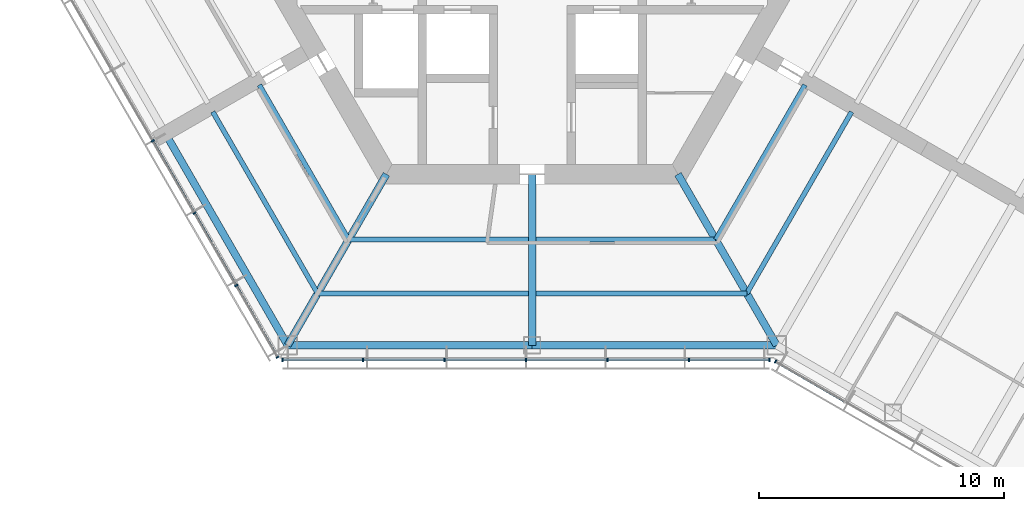
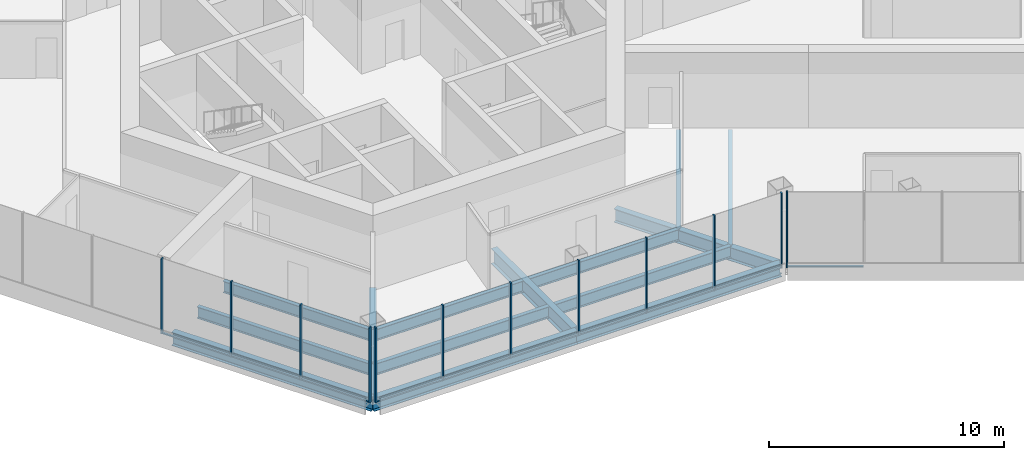
# One storey, part 2 of 14: 22 members, 14 beams, 3 elements without a shape of their own.
"""IFC4 building model written with IfcOpenShell, lengths in metres."""

from ifc_helpers import new_model, si_unit, direction, frame, origin, origin_2d, place, context, subcontext, project, spatial, rectangle, i_section, extrude, material, material_profile, profile_set, type_object, element, aggregate, save


model = new_model("IFC4")

# Units and contexts
model_context = context("Model", 3, precision=1e-05, world=origin(), true_north=direction((0.0, 1.0)))
body_context = subcontext(model_context, "Body", "Model", "MODEL_VIEW")
ifc_project = project(units=[si_unit("LENGTHUNIT", "METRE"), si_unit("AREAUNIT", "SQUARE_METRE"), si_unit("VOLUMEUNIT", "CUBIC_METRE"), si_unit("PLANEANGLEUNIT", "RADIAN"), si_unit("MASSUNIT", "GRAM", prefix="KILO")], contexts=[model_context])

# Site, building, storey
site_placement = place(None, origin())
site = spatial("IfcSite", under=ifc_project, at=site_placement, CompositionType="ELEMENT")
building_placement = place(site_placement, origin())
building = spatial("IfcBuilding", under=site, at=building_placement, Name="Kasaneha Research Tower", CompositionType="ELEMENT")
storey_placement = place(building_placement, frame((0.0, 0.0, 216.699951171875)))
storey = spatial("IfcBuildingStorey", under=building, at=storey_placement, Name="L54", CompositionType="ELEMENT", Elevation=216.699951171875)

# Beams
ifc_material_1 = material(Name="Steel SN490B", Category="steel")
ifc_material_profile_1 = material_profile(ifc_material_1, i_section(OverallWidth=0.199951171875, OverallDepth=0.60009765625, WebThickness=0.010986328125, FlangeThickness=0.01708984375, FilletRadius=0.012939453125, at=origin_2d()), Name="H-600x200x11x17")
ifc_profile_set_1 = profile_set([ifc_material_profile_1], Name="Steel SN490B")
beam_type_1 = type_object("IfcBeamType", Name="B1-3 secondary beam H-600x200x11x17", PredefinedType="JOIST", material=ifc_profile_set_1)
beam_1_placement = place(storey_placement, frame((-7.505615234375, -13.0, -0.449951171875), z_axis=(-0.499999192304, 0.866025870108, 0.0), x_axis=(-0.866025870108, -0.499999192304, 0.0)))
element("IfcBeam", 1, at=beam_1_placement, inside=storey, type_object=beam_type_1, Name="Secondary beam RS210R1 L54", PredefinedType="JOIST", context=body_context, shape_type="SweptSolid", body=[
    extrude(i_section(OverallWidth=0.199951171875, OverallDepth=0.60009765625, WebThickness=0.010986328125, FlangeThickness=0.01708984375, FilletRadius=0.012939453125, at=origin_2d()), origin(), (0.0, 0.0, 1.0), 7.3056640625),
])
beam_2_placement = place(storey_placement, frame((-8.775634765625, -15.199951171875, -0.449951171875), z_axis=(-0.500000102728, 0.866025344474, 0.0), x_axis=(-0.866025344474, -0.500000102728, 0.0)))
element("IfcBeam", 2, at=beam_2_placement, inside=storey, type_object=beam_type_1, Name="Secondary beam RS210R2 L54", PredefinedType="JOIST", context=body_context, shape_type="SweptSolid", body=[
    extrude(i_section(OverallWidth=0.199951171875, OverallDepth=0.60009765625, WebThickness=0.010986328125, FlangeThickness=0.01708984375, FilletRadius=0.012939453125, at=origin_2d()), origin(), (0.0, 0.0, 1.0), 8.57568359375),
])
beam_3_placement = place(storey_placement, frame((-7.505615234375, -13.0, -0.449951171875), z_axis=(1.0, 0.0, 0.0), x_axis=(0.0, 1.0, 0.0)))
element("IfcBeam", 3, at=beam_3_placement, inside=storey, type_object=beam_type_1, Name="Secondary beam RS270L1 L54", PredefinedType="JOIST", context=body_context, shape_type="SweptSolid", body=[
    extrude(i_section(OverallWidth=0.199951171875, OverallDepth=0.60009765625, WebThickness=0.010986328125, FlangeThickness=0.01708984375, FilletRadius=0.012939453125, at=origin_2d()), origin(), (0.0, 0.0, 1.0), 7.355712890625),
])
beam_4_placement = place(storey_placement, frame((-8.775634765625, -15.199951171875, -0.449951171875), z_axis=(1.0, 0.0, 0.0), x_axis=(0.0, 1.0, 0.0)))
element("IfcBeam", 4, at=beam_4_placement, inside=storey, type_object=beam_type_1, Name="Secondary beam RS270L2 L54", PredefinedType="JOIST", context=body_context, shape_type="SweptSolid", body=[
    extrude(i_section(OverallWidth=0.199951171875, OverallDepth=0.60009765625, WebThickness=0.010986328125, FlangeThickness=0.01708984375, FilletRadius=0.012939453125, at=origin_2d()), origin(), (0.0, 0.0, 1.0), 8.625732421875),
])
beam_5_placement = place(storey_placement, frame((7.505615234375, -13.0, -0.449951171875), z_axis=(-1.0, 0.0, 0.0), x_axis=(0.0, -1.0, 0.0)))
element("IfcBeam", 5, at=beam_5_placement, inside=storey, type_object=beam_type_1, Name="Secondary beam RS270R1 L54", PredefinedType="JOIST", context=body_context, shape_type="SweptSolid", body=[
    extrude(i_section(OverallWidth=0.199951171875, OverallDepth=0.60009765625, WebThickness=0.010986328125, FlangeThickness=0.01708984375, FilletRadius=0.012939453125, at=origin_2d()), origin(), (0.0, 0.0, 1.0), 7.355712890625),
])
beam_6_placement = place(storey_placement, frame((8.775634765625, -15.199951171875, -0.449951171875), z_axis=(-1.0, 0.0, 0.0), x_axis=(0.0, -1.0, 0.0)))
element("IfcBeam", 6, at=beam_6_placement, inside=storey, type_object=beam_type_1, Name="Secondary beam RS270R2 L54", PredefinedType="JOIST", context=body_context, shape_type="SweptSolid", body=[
    extrude(i_section(OverallWidth=0.199951171875, OverallDepth=0.60009765625, WebThickness=0.010986328125, FlangeThickness=0.01708984375, FilletRadius=0.012939453125, at=origin_2d()), origin(), (0.0, 0.0, 1.0), 8.625732421875),
])
beam_7_placement = place(storey_placement, frame((7.505615234375, -13.0, -0.449951171875), z_axis=(0.499999192304, 0.866025870108, 0.0), x_axis=(-0.866025870108, 0.499999192304, 0.0)))
element("IfcBeam", 7, at=beam_7_placement, inside=storey, type_object=beam_type_1, Name="Secondary beam RS330L1 L54", PredefinedType="JOIST", context=body_context, shape_type="SweptSolid", body=[
    extrude(i_section(OverallWidth=0.199951171875, OverallDepth=0.60009765625, WebThickness=0.010986328125, FlangeThickness=0.01708984375, FilletRadius=0.012939453125, at=origin_2d()), origin(), (0.0, 0.0, 1.0), 7.3056640625),
])
beam_8_placement = place(storey_placement, frame((8.775634765625, -15.199951171875, -0.449951171875), z_axis=(0.500000102728, 0.866025344474, 0.0), x_axis=(-0.866025344474, 0.500000102728, 0.0)))
element("IfcBeam", 8, at=beam_8_placement, inside=storey, type_object=beam_type_1, Name="Secondary beam RS330L2 L54", PredefinedType="JOIST", context=body_context, shape_type="SweptSolid", body=[
    extrude(i_section(OverallWidth=0.199951171875, OverallDepth=0.60009765625, WebThickness=0.010986328125, FlangeThickness=0.01708984375, FilletRadius=0.012939453125, at=origin_2d()), origin(), (0.0, 0.0, 1.0), 8.57568359375),
])

# Curtain wall, members
ifc_material_2 = material(Name="Glass and aluminium", Category="aluminium")
curtain_wall_type = type_object("IfcCurtainWallType", Name="High-rise office curtain wall", PredefinedType="USERDEFINED", material=ifc_material_2)
curtain_wall_1_placement = place(storey_placement, origin())
curtain_wall_1 = element("IfcCurtainWall", 9, at=curtain_wall_1_placement, inside=storey, type_object=curtain_wall_type, Name="CW-O3 L54 run 04a", ObjectType="UNITISED CURTAIN WALL", PredefinedType="USERDEFINED")
ifc_material_3 = material(Name="Aluminium 6063-T6", Category="aluminium")
ifc_material_profile_2 = material_profile(ifc_material_3, rectangle(XDim=0.06005859375, YDim=0.139892578125, at=origin_2d()), Name="CW-O3 mullion 60x140")
ifc_profile_set_2 = profile_set([ifc_material_profile_2], Name="Aluminium 6063-T6")
member_type_1 = type_object("IfcMemberType", Name="CW-O3 mullion", PredefinedType="MULLION", material=ifc_profile_set_2)
member_1_placement = place(storey_placement, frame((-15.51953125, -8.960205078125, 0.0), z_axis=(0.0, 0.0, 1.0), x_axis=(0.499999995722, -0.866025406254, 0.0)))
member_1 = element("IfcMember", 10, at=member_1_placement, type_object=member_type_1, Name="CW-O3 mullion 4", PredefinedType="MULLION", context=body_context, shape_type="SweptSolid", body=[
    extrude(rectangle(XDim=0.06005859375, YDim=0.139892578125, at=origin_2d()), origin(), (0.0, 0.0, 1.0), 3.900146484375),
])
member_2_placement = place(storey_placement, frame((-13.811767578125, -11.918212890625, 0.0), z_axis=(0.0, 0.0, 1.0), x_axis=(0.499999995722, -0.866025406254, 0.0)))
member_2 = element("IfcMember", 11, at=member_2_placement, type_object=member_type_1, Name="CW-O3 mullion 5", PredefinedType="MULLION", context=body_context, shape_type="SweptSolid", body=[
    extrude(rectangle(XDim=0.06005859375, YDim=0.139892578125, at=origin_2d()), origin(), (0.0, 0.0, 1.0), 3.900146484375),
])
member_3_placement = place(storey_placement, frame((-12.104248046875, -14.8759765625, 0.0), z_axis=(0.0, 0.0, 1.0), x_axis=(0.499999995722, -0.866025406254, 0.0)))
member_3 = element("IfcMember", 12, at=member_3_placement, type_object=member_type_1, Name="CW-O3 mullion 6", PredefinedType="MULLION", context=body_context, shape_type="SweptSolid", body=[
    extrude(rectangle(XDim=0.06005859375, YDim=0.139892578125, at=origin_2d()), origin(), (0.0, 0.0, 1.0), 3.900146484375),
])
member_4_placement = place(storey_placement, frame((-10.411376953125, -17.807861328125, 0.0), z_axis=(0.0, 0.0, 1.0), x_axis=(0.499999995722, -0.866025406254, 0.0)))
member_4 = element("IfcMember", 13, at=member_4_placement, type_object=member_type_1, Name="CW-O3 mullion 7", PredefinedType="MULLION", context=body_context, shape_type="SweptSolid", body=[
    extrude(rectangle(XDim=0.06005859375, YDim=0.139892578125, at=origin_2d()), origin(), (0.0, 0.0, 1.0), 3.900146484375),
])

curtain_wall_2_placement = place(storey_placement, origin())
curtain_wall_2 = element("IfcCurtainWall", 14, at=curtain_wall_2_placement, inside=storey, type_object=curtain_wall_type, Name="CW-O3 L54 run 05a", ObjectType="UNITISED CURTAIN WALL", PredefinedType="USERDEFINED")
member_5_placement = place(storey_placement, frame((-10.21630859375, -17.92041015625, 0.0), z_axis=(0.0, 0.0, 1.0), x_axis=(1.0, 0.0, 0.0)))
member_5 = element("IfcMember", 15, at=member_5_placement, type_object=member_type_1, Name="CW-O3 mullion 1", PredefinedType="MULLION", context=body_context, shape_type="SweptSolid", body=[
    extrude(rectangle(XDim=0.06005859375, YDim=0.139892578125, at=origin_2d()), origin(), (0.0, 0.0, 1.0), 3.900146484375),
])
member_6_placement = place(storey_placement, frame((-6.91552734375, -17.92041015625, 0.0), z_axis=(0.0, 0.0, 1.0), x_axis=(1.0, 0.0, 0.0)))
member_6 = element("IfcMember", 16, at=member_6_placement, type_object=member_type_1, Name="CW-O3 mullion 2", PredefinedType="MULLION", context=body_context, shape_type="SweptSolid", body=[
    extrude(rectangle(XDim=0.06005859375, YDim=0.139892578125, at=origin_2d()), origin(), (0.0, 0.0, 1.0), 3.900146484375),
])
member_7_placement = place(storey_placement, frame((-3.58447265625, -17.92041015625, 0.0), z_axis=(0.0, 0.0, 1.0), x_axis=(1.0, 0.0, 0.0)))
member_7 = element("IfcMember", 17, at=member_7_placement, type_object=member_type_1, Name="CW-O3 mullion 3", PredefinedType="MULLION", context=body_context, shape_type="SweptSolid", body=[
    extrude(rectangle(XDim=0.06005859375, YDim=0.139892578125, at=origin_2d()), origin(), (0.0, 0.0, 1.0), 3.900146484375),
])
member_8_placement = place(storey_placement, frame((-0.253662109375, -17.92041015625, 0.0), z_axis=(0.0, 0.0, 1.0), x_axis=(1.0, 0.0, 0.0)))
member_8 = element("IfcMember", 18, at=member_8_placement, type_object=member_type_1, Name="CW-O3 mullion 4", PredefinedType="MULLION", context=body_context, shape_type="SweptSolid", body=[
    extrude(rectangle(XDim=0.06005859375, YDim=0.139892578125, at=origin_2d()), origin(), (0.0, 0.0, 1.0), 3.900146484375),
])
member_9_placement = place(storey_placement, frame((3.077392578125, -17.92041015625, 0.0), z_axis=(0.0, 0.0, 1.0), x_axis=(1.0, 0.0, 0.0)))
member_9 = element("IfcMember", 19, at=member_9_placement, type_object=member_type_1, Name="CW-O3 mullion 5", PredefinedType="MULLION", context=body_context, shape_type="SweptSolid", body=[
    extrude(rectangle(XDim=0.06005859375, YDim=0.139892578125, at=origin_2d()), origin(), (0.0, 0.0, 1.0), 3.900146484375),
])
member_10_placement = place(storey_placement, frame((6.408203125, -17.92041015625, 0.0), z_axis=(0.0, 0.0, 1.0), x_axis=(1.0, 0.0, 0.0)))
member_10 = element("IfcMember", 20, at=member_10_placement, type_object=member_type_1, Name="CW-O3 mullion 6", PredefinedType="MULLION", context=body_context, shape_type="SweptSolid", body=[
    extrude(rectangle(XDim=0.06005859375, YDim=0.139892578125, at=origin_2d()), origin(), (0.0, 0.0, 1.0), 3.900146484375),
])
member_11_placement = place(storey_placement, frame((9.709228515625, -17.92041015625, 0.0), z_axis=(0.0, 0.0, 1.0), x_axis=(1.0, 0.0, 0.0)))
member_11 = element("IfcMember", 21, at=member_11_placement, type_object=member_type_1, Name="CW-O3 mullion 7", PredefinedType="MULLION", context=body_context, shape_type="SweptSolid", body=[
    extrude(rectangle(XDim=0.06005859375, YDim=0.139892578125, at=origin_2d()), origin(), (0.0, 0.0, 1.0), 3.900146484375),
])

# Curtain wall, member
curtain_wall_3_placement = place(storey_placement, origin())
curtain_wall_3 = element("IfcCurtainWall", 22, at=curtain_wall_3_placement, inside=storey, type_object=curtain_wall_type, Name="CW-O3 L54 run 06a", ObjectType="UNITISED CURTAIN WALL", PredefinedType="USERDEFINED")
member_12_placement = place(storey_placement, frame((9.951904296875, -17.985595703125, 0.0), z_axis=(0.0, 0.0, 1.0), x_axis=(0.866025411464, -0.499999986699, 0.0)))
member_12 = element("IfcMember", 23, at=member_12_placement, type_object=member_type_1, Name="CW-O3 mullion 1", PredefinedType="MULLION", context=body_context, shape_type="SweptSolid", body=[
    extrude(rectangle(XDim=0.06005859375, YDim=0.139892578125, at=origin_2d()), origin(), (0.0, 0.0, 1.0), 3.900146484375),
])

# Member
ifc_material_4 = material(Name="Aluminium 6063-T6", Category="aluminium")
ifc_material_profile_3 = material_profile(ifc_material_4, rectangle(XDim=0.10009765625, YDim=0.06005859375, at=origin_2d()), Name="CW-O3 transom 100x60")
ifc_profile_set_3 = profile_set([ifc_material_profile_3], Name="Aluminium 6063-T6")
member_type_2 = type_object("IfcMemberType", Name="CW-O3 transom", PredefinedType="USERDEFINED", material=ifc_profile_set_3)
member_13_placement = place(storey_placement, frame((-15.504638671875, -8.986328125, 0.030029296875), z_axis=(0.500020578564, -0.866013522419, 0.0), x_axis=(0.866013522419, 0.500020578564, 0.0)))
member_13 = element("IfcMember", 24, at=member_13_placement, type_object=member_type_2, Name="CW-O3 transom 4", ObjectType="TRANSOM", PredefinedType="USERDEFINED", context=body_context, shape_type="SweptSolid", body=[
    extrude(rectangle(XDim=0.10009765625, YDim=0.06005859375, at=origin_2d()), origin(), (0.0, 0.0, 1.0), 3.355224609375),
])

member_14_placement = place(storey_placement, frame((-13.796875, -11.944091796875, 0.030029296875), z_axis=(0.499989072476, -0.866031712701, 0.0), x_axis=(0.866031712701, 0.499989072476, 0.0)))
member_14 = element("IfcMember", 25, at=member_14_placement, type_object=member_type_2, Name="CW-O3 transom 5", ObjectType="TRANSOM", PredefinedType="USERDEFINED", context=body_context, shape_type="SweptSolid", body=[
    extrude(rectangle(XDim=0.10009765625, YDim=0.06005859375, at=origin_2d()), origin(), (0.0, 0.0, 1.0), 3.35546875),
])

member_15_placement = place(storey_placement, frame((-12.089111328125, -14.902099609375, 0.030029296875), z_axis=(0.49997666526, -0.866038875684, 0.0), x_axis=(0.866038875684, 0.49997666526, 0.0)))
member_15 = element("IfcMember", 26, at=member_15_placement, type_object=member_type_2, Name="CW-O3 transom 6", ObjectType="TRANSOM", PredefinedType="USERDEFINED", context=body_context, shape_type="SweptSolid", body=[
    extrude(rectangle(XDim=0.10009765625, YDim=0.06005859375, at=origin_2d()), origin(), (0.0, 0.0, 1.0), 3.325439453125),
])

aggregate(curtain_wall_1, [member_1, member_2, member_3, member_4, member_13, member_14, member_15])

member_16_placement = place(storey_placement, frame((-10.1865234375, -17.92041015625, 0.030029296875), z_axis=(1.0, 0.0, 0.0), x_axis=(0.0, 1.0, 0.0)))
member_16 = element("IfcMember", 27, at=member_16_placement, type_object=member_type_2, Name="CW-O3 transom 1", ObjectType="TRANSOM", PredefinedType="USERDEFINED", context=body_context, shape_type="SweptSolid", body=[
    extrude(rectangle(XDim=0.10009765625, YDim=0.06005859375, at=origin_2d()), origin(), (0.0, 0.0, 1.0), 3.240966796875),
])

member_17_placement = place(storey_placement, frame((-6.885498046875, -17.92041015625, 0.030029296875), z_axis=(1.0, 0.0, 0.0), x_axis=(0.0, 1.0, 0.0)))
member_17 = element("IfcMember", 28, at=member_17_placement, type_object=member_type_2, Name="CW-O3 transom 2", ObjectType="TRANSOM", PredefinedType="USERDEFINED", context=body_context, shape_type="SweptSolid", body=[
    extrude(rectangle(XDim=0.10009765625, YDim=0.06005859375, at=origin_2d()), origin(), (0.0, 0.0, 1.0), 3.27099609375),
])

member_18_placement = place(storey_placement, frame((-3.554443359375, -17.92041015625, 0.030029296875), z_axis=(1.0, 0.0, 0.0), x_axis=(0.0, 1.0, 0.0)))
member_18 = element("IfcMember", 29, at=member_18_placement, type_object=member_type_2, Name="CW-O3 transom 3", ObjectType="TRANSOM", PredefinedType="USERDEFINED", context=body_context, shape_type="SweptSolid", body=[
    extrude(rectangle(XDim=0.10009765625, YDim=0.06005859375, at=origin_2d()), origin(), (0.0, 0.0, 1.0), 3.270751953125),
])

member_19_placement = place(storey_placement, frame((-0.2236328125, -17.92041015625, 0.030029296875), z_axis=(1.0, 0.0, 0.0), x_axis=(0.0, 1.0, 0.0)))
member_19 = element("IfcMember", 30, at=member_19_placement, type_object=member_type_2, Name="CW-O3 transom 4", ObjectType="TRANSOM", PredefinedType="USERDEFINED", context=body_context, shape_type="SweptSolid", body=[
    extrude(rectangle(XDim=0.10009765625, YDim=0.06005859375, at=origin_2d()), origin(), (0.0, 0.0, 1.0), 3.27099609375),
])

member_20_placement = place(storey_placement, frame((3.107421875, -17.92041015625, 0.030029296875), z_axis=(1.0, 0.0, 0.0), x_axis=(0.0, 1.0, 0.0)))
member_20 = element("IfcMember", 31, at=member_20_placement, type_object=member_type_2, Name="CW-O3 transom 5", ObjectType="TRANSOM", PredefinedType="USERDEFINED", context=body_context, shape_type="SweptSolid", body=[
    extrude(rectangle(XDim=0.10009765625, YDim=0.06005859375, at=origin_2d()), origin(), (0.0, 0.0, 1.0), 3.270751953125),
])

member_21_placement = place(storey_placement, frame((6.438232421875, -17.92041015625, 0.030029296875), z_axis=(1.0, 0.0, 0.0), x_axis=(0.0, 1.0, 0.0)))
member_21 = element("IfcMember", 32, at=member_21_placement, type_object=member_type_2, Name="CW-O3 transom 6", ObjectType="TRANSOM", PredefinedType="USERDEFINED", context=body_context, shape_type="SweptSolid", body=[
    extrude(rectangle(XDim=0.10009765625, YDim=0.06005859375, at=origin_2d()), origin(), (0.0, 0.0, 1.0), 3.240966796875),
])

aggregate(curtain_wall_2, [member_5, member_6, member_7, member_8, member_9, member_10, member_11, member_16, member_17, member_18, member_19, member_20, member_21])

member_22_placement = place(storey_placement, frame((9.977783203125, -18.00048828125, 0.030029296875), z_axis=(0.866022692473, -0.500004696101, 0.0), x_axis=(0.500004696101, 0.866022692473, 0.0)))
member_22 = element("IfcMember", 33, at=member_22_placement, type_object=member_type_2, Name="CW-O3 transom 1", ObjectType="TRANSOM", PredefinedType="USERDEFINED", context=body_context, shape_type="SweptSolid", body=[
    extrude(rectangle(XDim=0.10009765625, YDim=0.06005859375, at=origin_2d()), origin(), (0.0, 0.0, 1.0), 3.2197265625),
])

aggregate(curtain_wall_3, [member_12, member_22])

# Beams
ifc_material_5 = material(Name="Steel SN490B", Category="steel")
ifc_material_profile_4 = material_profile(ifc_material_5, i_section(OverallWidth=0.300048828125, OverallDepth=0.699951171875, WebThickness=0.012939453125, FlangeThickness=0.02392578125, FilletRadius=0.01806640625, at=origin_2d()), Name="H-700x300x13x24")
ifc_profile_set_4 = profile_set([ifc_material_profile_4], Name="Steel SN490B")
beam_type_2 = type_object("IfcBeamType", Name="G1-3 radial girder H-700x300x13x24", PredefinedType="BEAM", material=ifc_profile_set_4)
for number, where, z_axis, x_axis, name in (
    (34, (-5.961181640625, -10.324951171875, -0.5), (-0.49999105496, -0.866030568144, 0.0), (0.866030568144, -0.49999105496, 0.0), "Radial girder RV240 L54"),
    (35, (5.961181640625, -10.324951171875, -0.5), (0.49999105496, -0.866030568144, 0.0), (0.866030568144, 0.49999105496, 0.0), "Radial girder RV300 L54"),
):
    element("IfcBeam", number, at=place(storey_placement, frame(where, z_axis=z_axis, x_axis=x_axis)), inside=storey, type_object=beam_type_2, Name=name, PredefinedType="BEAM", context=body_context, shape_type="SweptSolid", body=[
        extrude(i_section(OverallWidth=0.300048828125, OverallDepth=0.699951171875, WebThickness=0.012939453125, FlangeThickness=0.02392578125, FilletRadius=0.01806640625, at=origin_2d()), origin(), (0.0, 0.0, 1.0), 8.077880859375),
    ])
ifc_material_6 = material(Name="Steel SN490B", Category="steel")
ifc_material_profile_5 = material_profile(ifc_material_6, i_section(OverallWidth=0.300048828125, OverallDepth=0.800048828125, WebThickness=0.013916015625, FlangeThickness=0.02587890625, FilletRadius=0.01806640625, at=origin_2d()), Name="H-800x300x14x26")
ifc_profile_set_5 = profile_set([ifc_material_profile_5], Name="Steel SN490B")
beam_type_3 = type_object("IfcBeamType", Name="G2-3 radial girder H-800x300x14x26", PredefinedType="BEAM", material=ifc_profile_set_5)
beam_9_placement = place(storey_placement, frame((0.0, -10.324951171875, -0.550048828125), z_axis=(0.0, -1.0, 0.0), x_axis=(1.0, 0.0, 0.0)))
element("IfcBeam", 36, at=beam_9_placement, inside=storey, type_object=beam_type_3, Name="Radial girder RM270 L54", PredefinedType="BEAM", context=body_context, shape_type="SweptSolid", body=[
    extrude(i_section(OverallWidth=0.300048828125, OverallDepth=0.800048828125, WebThickness=0.013916015625, FlangeThickness=0.02587890625, FilletRadius=0.01806640625, at=origin_2d()), origin(), (0.0, 0.0, 1.0), 6.99560546875),
])
ifc_material_7 = material(Name="Steel SN490B", Category="steel")
ifc_material_profile_6 = material_profile(ifc_material_7, i_section(OverallWidth=0.300048828125, OverallDepth=0.69189453125, WebThickness=0.012939453125, FlangeThickness=0.02001953125, FilletRadius=0.01806640625, at=origin_2d()), Name="H-692x300x13x20")
ifc_profile_set_6 = profile_set([ifc_material_profile_6], Name="Steel SN490B")
beam_type_4 = type_object("IfcBeamType", Name="G3-3 plate edge girder H-692x300x13x20", PredefinedType="BEAM", material=ifc_profile_set_6)
beam_10_placement = place(storey_placement, frame((-10.0, -17.320556640625, -0.495849609375), z_axis=(-0.49999201416, 0.866030014362, 0.0), x_axis=(-0.866030014362, -0.49999201416, 0.0)))
element("IfcBeam", 37, at=beam_10_placement, inside=storey, type_object=beam_type_4, Name="Plate edge girder PEBN L54", PredefinedType="BEAM", context=body_context, shape_type="SweptSolid", body=[
    extrude(i_section(OverallWidth=0.300048828125, OverallDepth=0.69189453125, WebThickness=0.012939453125, FlangeThickness=0.02001953125, FilletRadius=0.01806640625, at=origin_2d()), origin(), (0.0, 0.0, 1.0), 9.800048828125),
])
ifc_material_8 = material(Name="Steel SN490B", Category="steel")
ifc_material_profile_7 = material_profile(ifc_material_8, i_section(OverallWidth=0.300048828125, OverallDepth=0.69189453125, WebThickness=0.012939453125, FlangeThickness=0.02001953125, FilletRadius=0.01806640625, at=origin_2d()), Name="H-692x300x13x20")
ifc_profile_set_7 = profile_set([ifc_material_profile_7], Name="Steel SN490B")
beam_type_5 = type_object("IfcBeamType", Name="SB1-3 spandrel beam H-692x300x13x20", PredefinedType="SPANDREL", material=ifc_profile_set_7)
for number, where, z_axis, x_axis, name in (
    (38, (-10.0, -17.320556640625, -0.495849609375), (1.0, 0.0, 0.0), (0.0, 1.0, 0.0), "Spandrel beam SR270L L54"),
    (39, (10.0, -17.320556640625, -0.495849609375), (-1.0, 0.0, 0.0), (0.0, -1.0, 0.0), "Spandrel beam SR270R L54"),
):
    element("IfcBeam", number, at=place(storey_placement, frame(where, z_axis=z_axis, x_axis=x_axis)), inside=storey, type_object=beam_type_5, Name=name, PredefinedType="SPANDREL", context=body_context, shape_type="SweptSolid", body=[
        extrude(i_section(OverallWidth=0.300048828125, OverallDepth=0.69189453125, WebThickness=0.012939453125, FlangeThickness=0.02001953125, FilletRadius=0.01806640625, at=origin_2d()), origin(), (0.0, 0.0, 1.0), 10.0),
    ])

save(model, "model.ifc")
